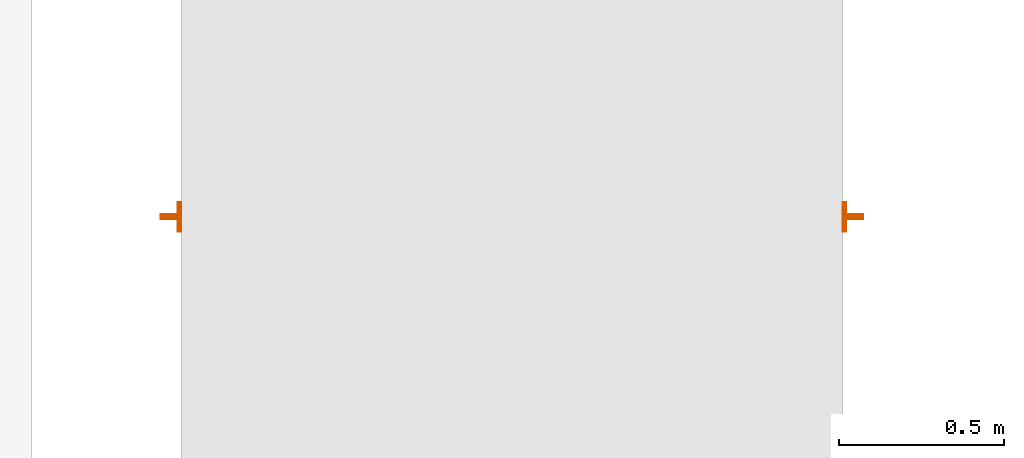
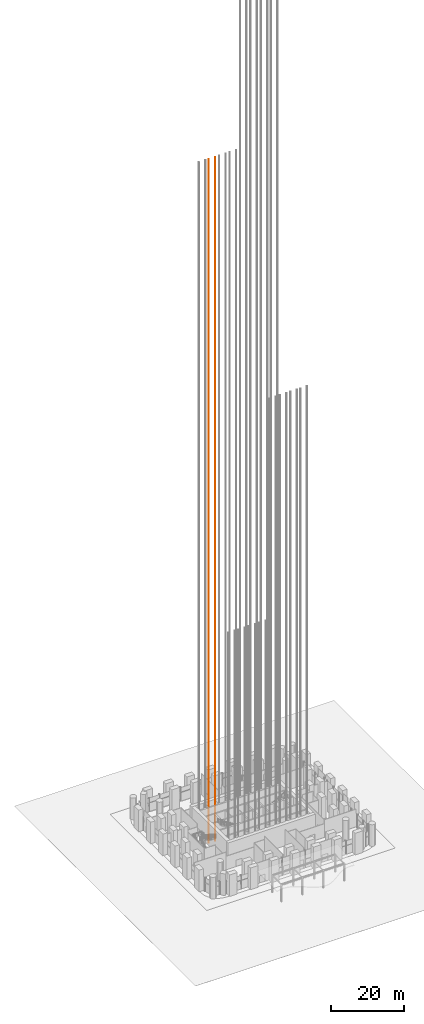
# One storey, part 26 of 32: 1 proxy.
"""IFC4 building model written with IfcOpenShell, lengths in metres."""

from ifc_helpers import new_model, si_unit, direction, frame, origin, origin_2d, place, context, subcontext, project, spatial, t_section, extrude, material, type_object, element, save


model = new_model("IFC4")

# Units and contexts
model_context = context("Model", 3, precision=1e-05, world=origin(), true_north=direction((0.0, 1.0)))
body_context = subcontext(model_context, "Body", "Model", "MODEL_VIEW")
ifc_project = project(units=[si_unit("LENGTHUNIT", "METRE"), si_unit("AREAUNIT", "SQUARE_METRE"), si_unit("VOLUMEUNIT", "CUBIC_METRE"), si_unit("PLANEANGLEUNIT", "RADIAN"), si_unit("MASSUNIT", "GRAM", prefix="KILO")], contexts=[model_context])

# Site, building, storey
site_placement = place(None, origin())
site = spatial("IfcSite", under=ifc_project, at=site_placement, CompositionType="ELEMENT")
building_placement = place(site_placement, origin())
building = spatial("IfcBuilding", under=site, at=building_placement, Name="Cobogo Forest Laboratory Tower", CompositionType="ELEMENT")
storey_placement = place(building_placement, origin())
storey = spatial("IfcBuildingStorey", under=building, at=storey_placement, Name="L00", CompositionType="ELEMENT", Elevation=0.0)

# Proxy
ifc_material = material(Name="Steel guide rail", Category="steel")
building_element_proxy_type = type_object("IfcBuildingElementProxyType", Name="LR lift guide rails", PredefinedType="USERDEFINED", material=ifc_material)
proxy_placement = place(storey_placement, frame((18.14990234375, 31.0, 0.0)))
element("IfcBuildingElementProxy", 1, at=proxy_placement, inside=storey, type_object=building_element_proxy_type, Name="LC2 guide rails", ObjectType="LIFT GUIDE RAILS", PredefinedType="USERDEFINED", context=body_context, shape_type="SweptSolid", body=[
    extrude(t_section(Depth=0.062, FlangeWidth=0.089, WebThickness=0.0159, FlangeThickness=0.01, at=origin_2d()), frame((-1.031005859375, 0.0, -5.39990234375), z_axis=(0.0, 0.0, 1.0), x_axis=(0.0, -1.0, 0.0)), (0.0, 0.0, 1.0), 227.75),
    extrude(t_section(Depth=0.062, FlangeWidth=0.089, WebThickness=0.0159, FlangeThickness=0.01, at=origin_2d()), frame((1.031005859375, 0.0, -5.39990234375), z_axis=(0.0, 0.0, 1.0), x_axis=(0.0, 1.0, 0.0)), (0.0, 0.0, 1.0), 227.75),
])

save(model, "model.ifc")
